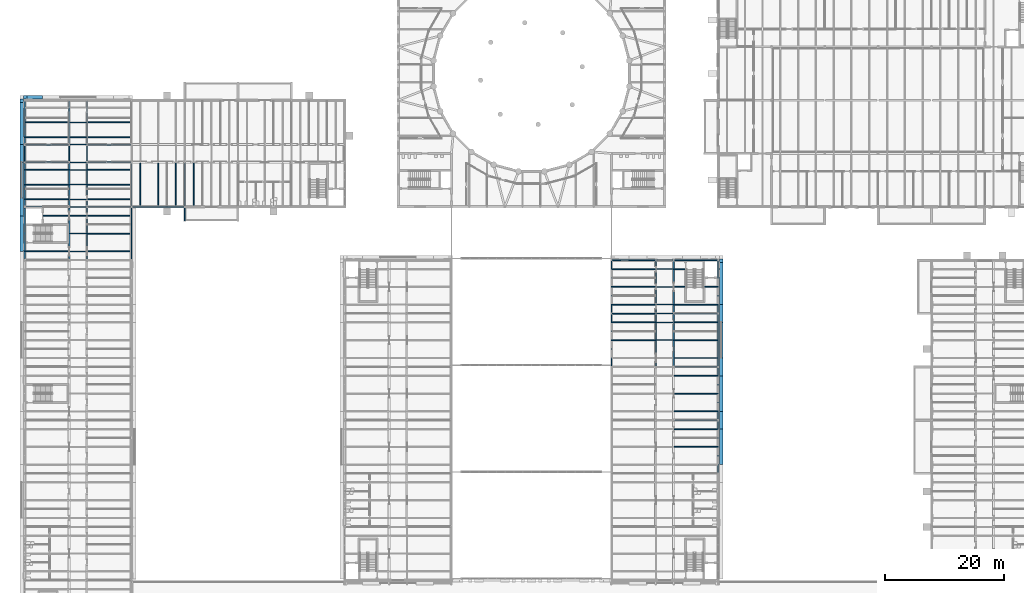
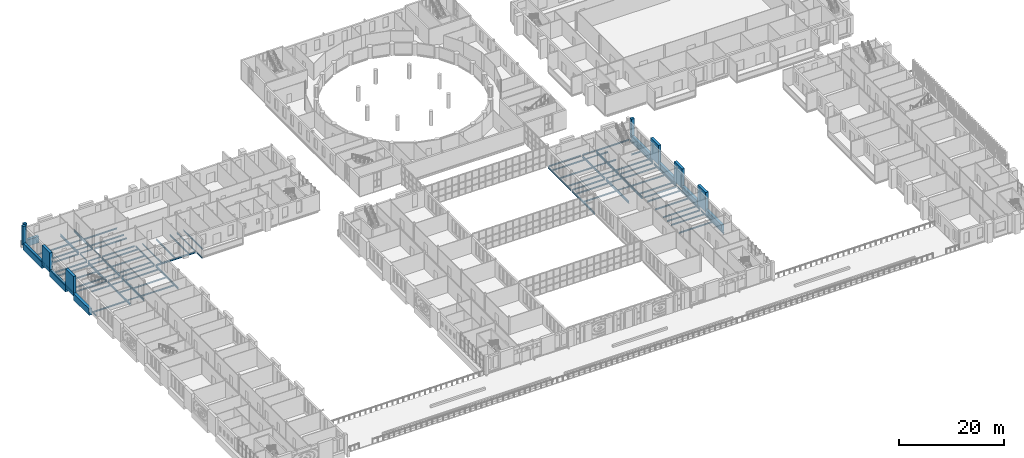
# One storey, part 36 of 134: 101 beams, 8 members.
"""IFC4 building model written with IfcOpenShell, lengths in metres."""

from ifc_helpers import new_model, si_unit, direction, frame, origin, origin_2d, place, context, subcontext, project, spatial, rectangle, i_section, extrude, material, material_profile, profile_set, type_object, element, save


model = new_model("IFC4")

# Units and contexts
model_context = context("Model", 3, precision=1e-05, world=origin(), true_north=direction((0.0, 1.0)))
body_context = subcontext(model_context, "Body", "Model", "MODEL_VIEW")
ifc_project = project(units=[si_unit("LENGTHUNIT", "METRE"), si_unit("AREAUNIT", "SQUARE_METRE"), si_unit("VOLUMEUNIT", "CUBIC_METRE"), si_unit("PLANEANGLEUNIT", "RADIAN"), si_unit("MASSUNIT", "GRAM", prefix="KILO")], contexts=[model_context])

# Site, building, storey
site_placement = place(None, origin())
site = spatial("IfcSite", under=ifc_project, at=site_placement, CompositionType="ELEMENT")
building_placement = place(site_placement, origin())
building = spatial("IfcBuilding", under=site, at=building_placement, Name="Golden Quay Civic Hall", CompositionType="ELEMENT")
storey_placement = place(building_placement, frame((0.0, 0.0, 5.39990234375)))
storey = spatial("IfcBuildingStorey", under=building, at=storey_placement, Name="L01", CompositionType="ELEMENT", Elevation=5.39990234375)

# Beam
ifc_material_1 = material(Name="Steel S355", Category="steel")
ifc_material_profile_1 = material_profile(ifc_material_1, i_section(OverallWidth=0.159912109375, OverallDepth=0.330078125, WebThickness=0.007568359375, FlangeThickness=0.011474609375, FilletRadius=0.01806640625, at=origin_2d()), Name="IPE 330")
ifc_profile_set_1 = profile_set([ifc_material_profile_1], Name="Steel S355")
beam_type_1 = type_object("IfcBeamType", Name="Loggia stub IPE 330", PredefinedType="BEAM", material=ifc_profile_set_1)
beam_1_placement = place(storey_placement, frame((27.0, 62.85498046875, -0.364990234375), z_axis=(0.0, -1.0, 0.0), x_axis=(1.0, 0.0, 0.0)))
element("IfcBeam", 1, at=beam_1_placement, inside=storey, type_object=beam_type_1, Name="Loggia stub IPE 330 L01 6", PredefinedType="BEAM", context=body_context, shape_type="SweptSolid", body=[
    extrude(i_section(OverallWidth=0.159912109375, OverallDepth=0.330078125, WebThickness=0.007568359375, FlangeThickness=0.011474609375, FilletRadius=0.01806640625, at=origin_2d()), origin(), (0.0, 0.0, 1.0), 2.205078125),
])

# Members
ifc_material_2 = material(Name="Concrete C40/50", Category="concrete")
ifc_material_profile_2 = material_profile(ifc_material_2, rectangle(XDim=3.0, YDim=0.60009765625, at=origin_2d()), Name="RC 3000x600")
ifc_profile_set_2 = profile_set([ifc_material_profile_2], Name="Concrete C40/50")
member_type_1 = type_object("IfcMemberType", Name="Precast concrete facade pier 3000 x 600", PredefinedType="POST", material=ifc_profile_set_2)
for number, where, z_axis, x_axis, name in (
    (2, (-0.5, 63.0, 0.0), (0.0, 0.0, 1.0), (0.0, 1.0, 0.0), "Precast concrete facade pier 3000 x 600 L01 7"),
    (3, (-0.5, 72.0, 0.0), (0.0, 0.0, 1.0), (0.0, 1.0, 0.0), "Precast concrete facade pier 3000 x 600 L01 8"),
    (4, (117.5, 27.0, 0.0), (0.0, 0.0, 1.0), (0.0, 1.0, 0.0), "Precast concrete facade pier 3000 x 600 L01 29"),
    (5, (117.5, 36.0, 0.0), (0.0, 0.0, 1.0), (0.0, 1.0, 0.0), "Precast concrete facade pier 3000 x 600 L01 30"),
    (6, (117.5, 45.0, 0.0), (0.0, 0.0, 1.0), (0.0, 1.0, 0.0), "Precast concrete facade pier 3000 x 600 L01 31"),
):
    element("IfcMember", number, at=place(storey_placement, frame(where, z_axis=z_axis, x_axis=x_axis)), inside=storey, type_object=member_type_1, Name=name, PredefinedType="POST", context=body_context, shape_type="SweptSolid", body=[
        extrude(rectangle(XDim=3.0, YDim=0.60009765625, at=origin_2d()), origin(), (0.0, 0.0, 1.0), 4.5),
    ])
ifc_material_3 = material(Name="Concrete C40/50", Category="concrete")
ifc_material_profile_3 = material_profile(ifc_material_3, rectangle(XDim=0.60009765625, YDim=0.60009765625, at=origin_2d()), Name="RC 600x600")
ifc_profile_set_3 = profile_set([ifc_material_profile_3], Name="Concrete C40/50")
member_type_2 = type_object("IfcMemberType", Name="Precast concrete facade post 600 x 600", PredefinedType="POST", material=ifc_profile_set_3)
for number, where, z_axis, x_axis, name in (
    (7, (-0.5, 80.89990234375, 0.0), (0.0, 0.0, 1.0), (1.0, 0.0, 0.0), "Precast concrete facade post 600 x 600 L01 1"),
    (8, (0.10009765625, 81.5, 0.0), (0.0, 0.0, 1.0), (1.0, 0.0, 0.0), "Precast concrete facade post 600 x 600 L01 2"),
    (9, (117.5, 53.89990234375, 0.0), (0.0, 0.0, 1.0), (1.0, 0.0, 0.0), "Precast concrete facade post 600 x 600 L01 12"),
):
    element("IfcMember", number, at=place(storey_placement, frame(where, z_axis=z_axis, x_axis=x_axis)), inside=storey, type_object=member_type_2, Name=name, PredefinedType="POST", context=body_context, shape_type="SweptSolid", body=[
        extrude(rectangle(XDim=0.60009765625, YDim=0.60009765625, at=origin_2d()), origin(), (0.0, 0.0, 1.0), 4.5),
    ])

# Beams
ifc_material_4 = material(Name="Concrete C40/50", Category="concrete")
ifc_material_profile_4 = material_profile(ifc_material_4, rectangle(XDim=0.60009765625, YDim=1.5, at=origin_2d()), Name="RC 600x1500")
ifc_profile_set_4 = profile_set([ifc_material_profile_4], Name="Concrete C40/50")
beam_type_2 = type_object("IfcBeamType", Name="Precast concrete spandrel beam 600 x 1500", PredefinedType="SPANDREL", material=ifc_profile_set_4)
beam_2_placement = place(storey_placement, frame((-0.5, 73.5, -0.14990234375), z_axis=(0.0, 1.0, 0.0), x_axis=(-1.0, 0.0, 0.0)))
element("IfcBeam", 10, at=beam_2_placement, inside=storey, type_object=beam_type_2, Name="Precast concrete spandrel beam 600 x 1500 L01 2", PredefinedType="SPANDREL", context=body_context, shape_type="SweptSolid", body=[
    extrude(rectangle(XDim=0.60009765625, YDim=1.5, at=origin_2d()), origin(), (0.0, 0.0, 1.0), 7.10009765625),
])
beam_3_placement = place(storey_placement, frame((0.39990234375, 81.5, -0.14990234375), z_axis=(1.0, 0.0, 0.0), x_axis=(0.0, 1.0, 0.0)))
element("IfcBeam", 11, at=beam_3_placement, inside=storey, type_object=beam_type_2, Name="Precast concrete spandrel beam 600 x 1500 L01 3", PredefinedType="SPANDREL", context=body_context, shape_type="SweptSolid", body=[
    extrude(rectangle(XDim=0.60009765625, YDim=1.5, at=origin_2d()), origin(), (0.0, 0.0, 1.0), 2.60009765625),
])
for number, where, z_axis, x_axis, name in (
    (12, (-0.5, 64.5, -0.14990234375), (0.0, 1.0, 0.0), (-1.0, 0.0, 0.0), "Precast concrete spandrel beam 600 x 1500 L01 6"),
    (13, (-0.5, 55.5, -0.14990234375), (0.0, 1.0, 0.0), (-1.0, 0.0, 0.0), "Precast concrete spandrel beam 600 x 1500 L01 7"),
):
    element("IfcBeam", number, at=place(storey_placement, frame(where, z_axis=z_axis, x_axis=x_axis)), inside=storey, type_object=beam_type_2, Name=name, PredefinedType="SPANDREL", context=body_context, shape_type="SweptSolid", body=[
        extrude(rectangle(XDim=0.60009765625, YDim=1.5, at=origin_2d()), origin(), (0.0, 0.0, 1.0), 6.0),
    ])
beam_4_placement = place(storey_placement, frame((117.5, 46.5, -0.14990234375), z_axis=(0.0, 1.0, 0.0), x_axis=(-1.0, 0.0, 0.0)))
element("IfcBeam", 14, at=beam_4_placement, inside=storey, type_object=beam_type_2, Name="Precast concrete spandrel beam 600 x 1500 L01 22", PredefinedType="SPANDREL", context=body_context, shape_type="SweptSolid", body=[
    extrude(rectangle(XDim=0.60009765625, YDim=1.5, at=origin_2d()), origin(), (0.0, 0.0, 1.0), 7.10009765625),
])
for number, where, z_axis, x_axis, name in (
    (15, (117.5, 37.5, -0.14990234375), (0.0, 1.0, 0.0), (-1.0, 0.0, 0.0), "Precast concrete spandrel beam 600 x 1500 L01 23"),
    (16, (117.5, 28.5, -0.14990234375), (0.0, 1.0, 0.0), (-1.0, 0.0, 0.0), "Precast concrete spandrel beam 600 x 1500 L01 24"),
    (17, (117.5, 19.5, -0.14990234375), (0.0, 1.0, 0.0), (-1.0, 0.0, 0.0), "Precast concrete spandrel beam 600 x 1500 L01 25"),
):
    element("IfcBeam", number, at=place(storey_placement, frame(where, z_axis=z_axis, x_axis=x_axis)), inside=storey, type_object=beam_type_2, Name=name, PredefinedType="SPANDREL", context=body_context, shape_type="SweptSolid", body=[
        extrude(rectangle(XDim=0.60009765625, YDim=1.5, at=origin_2d()), origin(), (0.0, 0.0, 1.0), 6.0),
    ])
ifc_material_5 = material(Name="Steel S355", Category="steel")
ifc_material_profile_5 = material_profile(ifc_material_5, i_section(OverallWidth=0.10009765625, OverallDepth=0.199951171875, WebThickness=0.005615234375, FlangeThickness=0.008544921875, FilletRadius=0.011962890625, at=origin_2d()), Name="IPE 200")
ifc_profile_set_5 = profile_set([ifc_material_profile_5], Name="Steel S355")
beam_type_3 = type_object("IfcBeamType", Name="Steel beam IPE 200", PredefinedType="BEAM", material=ifc_profile_set_5)
for number, where, z_axis, x_axis, name in (
    (18, (7.64990234375, 63.0, -0.2998046875), (1.0, 0.0, 0.0), (0.0, 1.0, 0.0), "Beam S63-7.5"),
    (19, (7.64990234375, 70.5, -0.2998046875), (1.0, 0.0, 0.0), (0.0, 1.0, 0.0), "Beam S70.5-7.5"),
    (20, (7.64990234375, 73.5, -0.2998046875), (1.0, 0.0, 0.0), (0.0, 1.0, 0.0), "Beam S73.5-7.5"),
    (21, (106.64990234375, 45.0, -0.2998046875), (1.0, 0.0, 0.0), (0.0, 1.0, 0.0), "Beam S45-106.5"),
    (22, (106.64990234375, 54.0, -0.2998046875), (1.0, 0.0, 0.0), (0.0, 1.0, 0.0), "Beam S54-106.5"),
):
    element("IfcBeam", number, at=place(storey_placement, frame(where, z_axis=z_axis, x_axis=x_axis)), inside=storey, type_object=beam_type_3, Name=name, PredefinedType="BEAM", context=body_context, shape_type="SweptSolid", body=[
        extrude(i_section(OverallWidth=0.10009765625, OverallDepth=0.199951171875, WebThickness=0.005615234375, FlangeThickness=0.008544921875, FilletRadius=0.011962890625, at=origin_2d()), origin(), (0.0, 0.0, 1.0), 2.7001953125),
    ])
ifc_material_6 = material(Name="Steel S355", Category="steel")
ifc_material_profile_6 = material_profile(ifc_material_6, i_section(OverallWidth=0.135009765625, OverallDepth=0.27001953125, WebThickness=0.006591796875, FlangeThickness=0.01025390625, FilletRadius=0.014892578125, at=origin_2d()), Name="IPE 270")
ifc_profile_set_6 = profile_set([ifc_material_profile_6], Name="Steel S355")
beam_type_4 = type_object("IfcBeamType", Name="Steel beam IPE 270", PredefinedType="BEAM", material=ifc_profile_set_6)
beam_5_placement = place(storey_placement, frame((0.0, 70.64990234375, -0.3349609375), z_axis=(0.0, 1.0, 0.0), x_axis=(-1.0, 0.0, 0.0)))
element("IfcBeam", 23, at=beam_5_placement, inside=storey, type_object=beam_type_4, Name="Beam L0-70.5", PredefinedType="BEAM", context=body_context, shape_type="SweptSolid", body=[
    extrude(i_section(OverallWidth=0.135009765625, OverallDepth=0.27001953125, WebThickness=0.006591796875, FlangeThickness=0.01025390625, FilletRadius=0.014892578125, at=origin_2d()), origin(), (0.0, 0.0, 1.0), 2.7001953125),
])
for number, where, z_axis, x_axis, name in (
    (24, (7.5, 70.679931640625, -0.3349609375), (0.0, 1.0, 0.0), (-1.0, 0.0, 0.0), "Beam L7.5-70.5"),
    (25, (10.5, 70.679931640625, -0.3349609375), (0.0, 1.0, 0.0), (-1.0, 0.0, 0.0), "Beam L10.5-70.5"),
):
    element("IfcBeam", number, at=place(storey_placement, frame(where, z_axis=z_axis, x_axis=x_axis)), inside=storey, type_object=beam_type_4, Name=name, PredefinedType="BEAM", context=body_context, shape_type="SweptSolid", body=[
        extrude(i_section(OverallWidth=0.135009765625, OverallDepth=0.27001953125, WebThickness=0.006591796875, FlangeThickness=0.01025390625, FilletRadius=0.014892578125, at=origin_2d()), origin(), (0.0, 0.0, 1.0), 2.64013671875),
    ])
ifc_material_7 = material(Name="Steel S355", Category="steel")
ifc_material_profile_7 = material_profile(ifc_material_7, i_section(OverallWidth=0.159912109375, OverallDepth=0.330078125, WebThickness=0.007568359375, FlangeThickness=0.011474609375, FilletRadius=0.01806640625, at=origin_2d()), Name="IPE 330")
ifc_profile_set_7 = profile_set([ifc_material_profile_7], Name="Steel S355")
beam_type_5 = type_object("IfcBeamType", Name="Steel beam IPE 330", PredefinedType="BEAM", material=ifc_profile_set_7)
for number, where, z_axis, x_axis, name in (
    (26, (0.14990234375, 63.0, -0.364990234375), (1.0, 0.0, 0.0), (0.0, 1.0, 0.0), "Beam S63-0"),
    (27, (10.64990234375, 63.0, -0.364990234375), (1.0, 0.0, 0.0), (0.0, 1.0, 0.0), "Beam S63-10.5"),
    (28, (0.14990234375, 70.5, -0.364990234375), (1.0, 0.0, 0.0), (0.0, 1.0, 0.0), "Beam S70.5-0"),
    (29, (10.64990234375, 70.5, -0.364990234375), (1.0, 0.0, 0.0), (0.0, 1.0, 0.0), "Beam S70.5-10.5"),
    (30, (0.14990234375, 73.5, -0.364990234375), (1.0, 0.0, 0.0), (0.0, 1.0, 0.0), "Beam S73.5-0"),
    (31, (10.64990234375, 73.5, -0.364990234375), (1.0, 0.0, 0.0), (0.0, 1.0, 0.0), "Beam S73.5-10.5"),
):
    element("IfcBeam", number, at=place(storey_placement, frame(where, z_axis=z_axis, x_axis=x_axis)), inside=storey, type_object=beam_type_5, Name=name, PredefinedType="BEAM", context=body_context, shape_type="SweptSolid", body=[
        extrude(i_section(OverallWidth=0.159912109375, OverallDepth=0.330078125, WebThickness=0.007568359375, FlangeThickness=0.011474609375, FilletRadius=0.01806640625, at=origin_2d()), origin(), (0.0, 0.0, 1.0), 7.2001953125),
    ])
beam_6_placement = place(storey_placement, frame((27.0, 63.14990234375, -0.364990234375), z_axis=(0.0, 1.0, 0.0), x_axis=(-1.0, 0.0, 0.0)))
element("IfcBeam", 32, at=beam_6_placement, inside=storey, type_object=beam_type_5, Name="Beam S27-63", PredefinedType="BEAM", context=body_context, shape_type="SweptSolid", body=[
    extrude(i_section(OverallWidth=0.159912109375, OverallDepth=0.330078125, WebThickness=0.007568359375, FlangeThickness=0.011474609375, FilletRadius=0.01806640625, at=origin_2d()), origin(), (0.0, 0.0, 1.0), 7.170166015625),
])
for number, where, z_axis, x_axis, name in (
    (33, (109.64990234375, 27.0, -0.364990234375), (1.0, 0.0, 0.0), (0.0, 1.0, 0.0), "Beam S27-109.5"),
    (34, (109.64990234375, 36.0, -0.364990234375), (1.0, 0.0, 0.0), (0.0, 1.0, 0.0), "Beam S36-109.5"),
    (35, (99.14990234375, 45.0, -0.364990234375), (1.0, 0.0, 0.0), (0.0, 1.0, 0.0), "Beam S45-99"),
    (36, (109.64990234375, 45.0, -0.364990234375), (1.0, 0.0, 0.0), (0.0, 1.0, 0.0), "Beam S45-109.5"),
    (37, (99.14990234375, 54.0, -0.364990234375), (1.0, 0.0, 0.0), (0.0, 1.0, 0.0), "Beam S54-99"),
    (38, (109.64990234375, 54.0, -0.364990234375), (1.0, 0.0, 0.0), (0.0, 1.0, 0.0), "Beam S54-109.5"),
):
    element("IfcBeam", number, at=place(storey_placement, frame(where, z_axis=z_axis, x_axis=x_axis)), inside=storey, type_object=beam_type_5, Name=name, PredefinedType="BEAM", context=body_context, shape_type="SweptSolid", body=[
        extrude(i_section(OverallWidth=0.159912109375, OverallDepth=0.330078125, WebThickness=0.007568359375, FlangeThickness=0.011474609375, FilletRadius=0.01806640625, at=origin_2d()), origin(), (0.0, 0.0, 1.0), 7.2001953125),
    ])
ifc_material_8 = material(Name="Steel S355", Category="steel")
ifc_material_profile_8 = material_profile(ifc_material_8, i_section(OverallWidth=0.179931640625, OverallDepth=0.39990234375, WebThickness=0.008544921875, FlangeThickness=0.013427734375, FilletRadius=0.02099609375, at=origin_2d()), Name="IPE 400")
ifc_profile_set_8 = profile_set([ifc_material_profile_8], Name="Steel S355")
beam_type_6 = type_object("IfcBeamType", Name="Steel beam IPE 400", PredefinedType="BEAM", material=ifc_profile_set_8)
beam_7_placement = place(storey_placement, frame((0.0, 54.14990234375, -0.39990234375), z_axis=(0.0, 1.0, 0.0), x_axis=(-1.0, 0.0, 0.0)))
element("IfcBeam", 39, at=beam_7_placement, inside=storey, type_object=beam_type_6, Name="Beam L0-54", PredefinedType="BEAM", context=body_context, shape_type="SweptSolid", body=[
    extrude(i_section(OverallWidth=0.179931640625, OverallDepth=0.39990234375, WebThickness=0.008544921875, FlangeThickness=0.013427734375, FilletRadius=0.02099609375, at=origin_2d()), origin(), (0.0, 0.0, 1.0), 8.7001953125),
])
for number, where, z_axis, x_axis, name in (
    (40, (0.0, 63.14990234375, -0.39990234375), (0.0, 1.0, 0.0), (-1.0, 0.0, 0.0), "Beam L0-63"),
    (41, (0.0, 73.64990234375, -0.39990234375), (0.0, 1.0, 0.0), (-1.0, 0.0, 0.0), "Beam L0-73.5"),
):
    element("IfcBeam", number, at=place(storey_placement, frame(where, z_axis=z_axis, x_axis=x_axis)), inside=storey, type_object=beam_type_6, Name=name, PredefinedType="BEAM", context=body_context, shape_type="SweptSolid", body=[
        extrude(i_section(OverallWidth=0.179931640625, OverallDepth=0.39990234375, WebThickness=0.008544921875, FlangeThickness=0.013427734375, FilletRadius=0.02099609375, at=origin_2d()), origin(), (0.0, 0.0, 1.0), 7.2001953125),
    ])
beam_8_placement = place(storey_placement, frame((18.0, 54.14990234375, -0.39990234375), z_axis=(0.0, 1.0, 0.0), x_axis=(-1.0, 0.0, 0.0)))
element("IfcBeam", 42, at=beam_8_placement, inside=storey, type_object=beam_type_6, Name="Beam L18-54", PredefinedType="BEAM", context=body_context, shape_type="SweptSolid", body=[
    extrude(i_section(OverallWidth=0.179931640625, OverallDepth=0.39990234375, WebThickness=0.008544921875, FlangeThickness=0.013427734375, FilletRadius=0.02099609375, at=origin_2d()), origin(), (0.0, 0.0, 1.0), 8.7001953125),
])
beam_9_placement = place(storey_placement, frame((18.0, 63.14990234375, -0.39990234375), z_axis=(0.0, 1.0, 0.0), x_axis=(-1.0, 0.0, 0.0)))
element("IfcBeam", 43, at=beam_9_placement, inside=storey, type_object=beam_type_6, Name="Beam L18-63", PredefinedType="BEAM", context=body_context, shape_type="SweptSolid", body=[
    extrude(i_section(OverallWidth=0.179931640625, OverallDepth=0.39990234375, WebThickness=0.008544921875, FlangeThickness=0.013427734375, FilletRadius=0.02099609375, at=origin_2d()), origin(), (0.0, 0.0, 1.0), 7.2001953125),
])
beam_10_placement = place(storey_placement, frame((18.14990234375, 63.0, -0.39990234375), z_axis=(1.0, 0.0, 0.0), x_axis=(0.0, 1.0, 0.0)))
element("IfcBeam", 44, at=beam_10_placement, inside=storey, type_object=beam_type_6, Name="Beam L63-18", PredefinedType="BEAM", context=body_context, shape_type="SweptSolid", body=[
    extrude(i_section(OverallWidth=0.179931640625, OverallDepth=0.39990234375, WebThickness=0.008544921875, FlangeThickness=0.013427734375, FilletRadius=0.02099609375, at=origin_2d()), origin(), (0.0, 0.0, 1.0), 8.7001953125),
])
for number, where, z_axis, x_axis, name in (
    (45, (99.0, 36.14501953125, -0.39990234375), (0.0, 1.0, 0.0), (-1.0, 0.0, 0.0), "Beam L99-36"),
    (46, (99.0, 45.14501953125, -0.39990234375), (0.0, 1.0, 0.0), (-1.0, 0.0, 0.0), "Beam L99-45"),
    (47, (117.0, 18.14501953125, -0.39990234375), (0.0, 1.0, 0.0), (-1.0, 0.0, 0.0), "Beam L117-18"),
    (48, (117.0, 27.14501953125, -0.39990234375), (0.0, 1.0, 0.0), (-1.0, 0.0, 0.0), "Beam L117-27"),
    (49, (117.0, 36.14501953125, -0.39990234375), (0.0, 1.0, 0.0), (-1.0, 0.0, 0.0), "Beam L117-36"),
    (50, (117.0, 45.14501953125, -0.39990234375), (0.0, 1.0, 0.0), (-1.0, 0.0, 0.0), "Beam L117-45"),
):
    element("IfcBeam", number, at=place(storey_placement, frame(where, z_axis=z_axis, x_axis=x_axis)), inside=storey, type_object=beam_type_6, Name=name, PredefinedType="BEAM", context=body_context, shape_type="SweptSolid", body=[
        extrude(i_section(OverallWidth=0.179931640625, OverallDepth=0.39990234375, WebThickness=0.008544921875, FlangeThickness=0.013427734375, FilletRadius=0.02099609375, at=origin_2d()), origin(), (0.0, 0.0, 1.0), 8.7099609375),
    ])
ifc_material_9 = material(Name="Steel S355", Category="steel")
ifc_material_profile_9 = material_profile(ifc_material_9, i_section(OverallWidth=0.199951171875, OverallDepth=0.5, WebThickness=0.01025390625, FlangeThickness=0.01611328125, FilletRadius=0.02099609375, at=origin_2d()), Name="IPE 500")
ifc_profile_set_9 = profile_set([ifc_material_profile_9], Name="Steel S355")
beam_type_7 = type_object("IfcBeamType", Name="Steel beam IPE 500", PredefinedType="BEAM", material=ifc_profile_set_9)
beam_11_placement = place(storey_placement, frame((7.5, 54.179931640625, -0.449951171875), z_axis=(0.0, 1.0, 0.0), x_axis=(-1.0, 0.0, 0.0)))
element("IfcBeam", 51, at=beam_11_placement, inside=storey, type_object=beam_type_7, Name="Beam L7.5-54", PredefinedType="BEAM", context=body_context, shape_type="SweptSolid", body=[
    extrude(i_section(OverallWidth=0.199951171875, OverallDepth=0.5, WebThickness=0.01025390625, FlangeThickness=0.01611328125, FilletRadius=0.02099609375, at=origin_2d()), origin(), (0.0, 0.0, 1.0), 8.64013671875),
])
beam_12_placement = place(storey_placement, frame((7.5, 63.179931640625, -0.449951171875), z_axis=(0.0, 1.0, 0.0), x_axis=(-1.0, 0.0, 0.0)))
element("IfcBeam", 52, at=beam_12_placement, inside=storey, type_object=beam_type_7, Name="Beam L7.5-63", PredefinedType="BEAM", context=body_context, shape_type="SweptSolid", body=[
    extrude(i_section(OverallWidth=0.199951171875, OverallDepth=0.5, WebThickness=0.01025390625, FlangeThickness=0.01611328125, FilletRadius=0.02099609375, at=origin_2d()), origin(), (0.0, 0.0, 1.0), 7.14013671875),
])
beam_13_placement = place(storey_placement, frame((7.5, 73.679931640625, -0.449951171875), z_axis=(0.0, 1.0, 0.0), x_axis=(-1.0, 0.0, 0.0)))
element("IfcBeam", 53, at=beam_13_placement, inside=storey, type_object=beam_type_7, Name="Beam L7.5-73.5", PredefinedType="BEAM", context=body_context, shape_type="SweptSolid", body=[
    extrude(i_section(OverallWidth=0.199951171875, OverallDepth=0.5, WebThickness=0.01025390625, FlangeThickness=0.01611328125, FilletRadius=0.02099609375, at=origin_2d()), origin(), (0.0, 0.0, 1.0), 7.170166015625),
])
beam_14_placement = place(storey_placement, frame((10.5, 54.179931640625, -0.449951171875), z_axis=(0.0, 1.0, 0.0), x_axis=(-1.0, 0.0, 0.0)))
element("IfcBeam", 54, at=beam_14_placement, inside=storey, type_object=beam_type_7, Name="Beam L10.5-54", PredefinedType="BEAM", context=body_context, shape_type="SweptSolid", body=[
    extrude(i_section(OverallWidth=0.199951171875, OverallDepth=0.5, WebThickness=0.01025390625, FlangeThickness=0.01611328125, FilletRadius=0.02099609375, at=origin_2d()), origin(), (0.0, 0.0, 1.0), 8.64013671875),
])
beam_15_placement = place(storey_placement, frame((10.5, 63.179931640625, -0.449951171875), z_axis=(0.0, 1.0, 0.0), x_axis=(-1.0, 0.0, 0.0)))
element("IfcBeam", 55, at=beam_15_placement, inside=storey, type_object=beam_type_7, Name="Beam L10.5-63", PredefinedType="BEAM", context=body_context, shape_type="SweptSolid", body=[
    extrude(i_section(OverallWidth=0.199951171875, OverallDepth=0.5, WebThickness=0.01025390625, FlangeThickness=0.01611328125, FilletRadius=0.02099609375, at=origin_2d()), origin(), (0.0, 0.0, 1.0), 7.14013671875),
])
beam_16_placement = place(storey_placement, frame((10.5, 73.679931640625, -0.449951171875), z_axis=(0.0, 1.0, 0.0), x_axis=(-1.0, 0.0, 0.0)))
element("IfcBeam", 56, at=beam_16_placement, inside=storey, type_object=beam_type_7, Name="Beam L10.5-73.5", PredefinedType="BEAM", context=body_context, shape_type="SweptSolid", body=[
    extrude(i_section(OverallWidth=0.199951171875, OverallDepth=0.5, WebThickness=0.01025390625, FlangeThickness=0.01611328125, FilletRadius=0.02099609375, at=origin_2d()), origin(), (0.0, 0.0, 1.0), 7.170166015625),
])
beam_17_placement = place(storey_placement, frame((106.5, 36.14990234375, -0.449951171875), z_axis=(0.0, 1.0, 0.0), x_axis=(-1.0, 0.0, 0.0)))
element("IfcBeam", 57, at=beam_17_placement, inside=storey, type_object=beam_type_7, Name="Beam L106.5-36", PredefinedType="BEAM", context=body_context, shape_type="SweptSolid", body=[
    extrude(i_section(OverallWidth=0.199951171875, OverallDepth=0.5, WebThickness=0.01025390625, FlangeThickness=0.01611328125, FilletRadius=0.02099609375, at=origin_2d()), origin(), (0.0, 0.0, 1.0), 8.7001953125),
])
beam_18_placement = place(storey_placement, frame((106.5, 45.14990234375, -0.449951171875), z_axis=(0.0, 1.0, 0.0), x_axis=(-1.0, 0.0, 0.0)))
element("IfcBeam", 58, at=beam_18_placement, inside=storey, type_object=beam_type_7, Name="Beam L106.5-45", PredefinedType="BEAM", context=body_context, shape_type="SweptSolid", body=[
    extrude(i_section(OverallWidth=0.199951171875, OverallDepth=0.5, WebThickness=0.01025390625, FlangeThickness=0.01611328125, FilletRadius=0.02099609375, at=origin_2d()), origin(), (0.0, 0.0, 1.0), 8.705078125),
])
beam_19_placement = place(storey_placement, frame((109.5, 36.14990234375, -0.449951171875), z_axis=(0.0, 1.0, 0.0), x_axis=(-1.0, 0.0, 0.0)))
element("IfcBeam", 59, at=beam_19_placement, inside=storey, type_object=beam_type_7, Name="Beam L109.5-36", PredefinedType="BEAM", context=body_context, shape_type="SweptSolid", body=[
    extrude(i_section(OverallWidth=0.199951171875, OverallDepth=0.5, WebThickness=0.01025390625, FlangeThickness=0.01611328125, FilletRadius=0.02099609375, at=origin_2d()), origin(), (0.0, 0.0, 1.0), 8.7001953125),
])
beam_20_placement = place(storey_placement, frame((109.5, 45.14990234375, -0.449951171875), z_axis=(0.0, 1.0, 0.0), x_axis=(-1.0, 0.0, 0.0)))
element("IfcBeam", 60, at=beam_20_placement, inside=storey, type_object=beam_type_7, Name="Beam L109.5-45", PredefinedType="BEAM", context=body_context, shape_type="SweptSolid", body=[
    extrude(i_section(OverallWidth=0.199951171875, OverallDepth=0.5, WebThickness=0.01025390625, FlangeThickness=0.01611328125, FilletRadius=0.02099609375, at=origin_2d()), origin(), (0.0, 0.0, 1.0), 8.705078125),
])
ifc_material_10 = material(Name="Steel S355", Category="steel")
ifc_material_profile_10 = material_profile(ifc_material_10, i_section(OverallWidth=0.10009765625, OverallDepth=0.199951171875, WebThickness=0.005615234375, FlangeThickness=0.008544921875, FilletRadius=0.011962890625, at=origin_2d()), Name="IPE 200")
ifc_profile_set_10 = profile_set([ifc_material_profile_10], Name="Steel S355")
beam_type_8 = type_object("IfcBeamType", Name="Steel joist IPE 200", PredefinedType="JOIST", material=ifc_profile_set_10)
for number, where, z_axis, x_axis, name in (
    (61, (7.60009765625, 55.5, -0.2998046875), (1.0, 0.0, 0.0), (0.0, 1.0, 0.0), "Joist J55.5-7.5"),
    (62, (7.60009765625, 58.5, -0.2998046875), (1.0, 0.0, 0.0), (0.0, 1.0, 0.0), "Joist J58.5-7.5"),
    (63, (7.60009765625, 61.5, -0.2998046875), (1.0, 0.0, 0.0), (0.0, 1.0, 0.0), "Joist J61.5-7.5"),
    (64, (7.60009765625, 64.25, -0.2998046875), (1.0, 0.0, 0.0), (0.0, 1.0, 0.0), "Joist J64.25-7.5"),
    (65, (7.60009765625, 66.75, -0.2998046875), (1.0, 0.0, 0.0), (0.0, 1.0, 0.0), "Joist J66.75-7.5"),
    (66, (7.60009765625, 69.25, -0.2998046875), (1.0, 0.0, 0.0), (0.0, 1.0, 0.0), "Joist J69.25-7.5"),
    (67, (7.60009765625, 74.75, -0.2998046875), (1.0, 0.0, 0.0), (0.0, 1.0, 0.0), "Joist J74.75-7.5"),
    (68, (7.60009765625, 77.25, -0.2998046875), (1.0, 0.0, 0.0), (0.0, 1.0, 0.0), "Joist J77.25-7.5"),
    (69, (106.60009765625, 40.5, -0.2998046875), (1.0, 0.0, 0.0), (0.0, 1.0, 0.0), "Joist J40.5-106.5"),
    (70, (106.60009765625, 43.5, -0.2998046875), (1.0, 0.0, 0.0), (0.0, 1.0, 0.0), "Joist J43.5-106.5"),
    (71, (106.60009765625, 46.5, -0.2998046875), (1.0, 0.0, 0.0), (0.0, 1.0, 0.0), "Joist J46.5-106.5"),
    (72, (106.60009765625, 49.5, -0.2998046875), (1.0, 0.0, 0.0), (0.0, 1.0, 0.0), "Joist J49.5-106.5"),
    (73, (106.60009765625, 52.5, -0.2998046875), (1.0, 0.0, 0.0), (0.0, 1.0, 0.0), "Joist J52.5-106.5"),
):
    element("IfcBeam", number, at=place(storey_placement, frame(where, z_axis=z_axis, x_axis=x_axis)), inside=storey, type_object=beam_type_8, Name=name, PredefinedType="JOIST", context=body_context, shape_type="SweptSolid", body=[
        extrude(i_section(OverallWidth=0.10009765625, OverallDepth=0.199951171875, WebThickness=0.005615234375, FlangeThickness=0.008544921875, FilletRadius=0.011962890625, at=origin_2d()), origin(), (0.0, 0.0, 1.0), 2.7998046875),
    ])
ifc_material_11 = material(Name="Steel S355", Category="steel")
ifc_material_profile_11 = material_profile(ifc_material_11, i_section(OverallWidth=0.159912109375, OverallDepth=0.330078125, WebThickness=0.007568359375, FlangeThickness=0.011474609375, FilletRadius=0.01806640625, at=origin_2d()), Name="IPE 330")
ifc_profile_set_11 = profile_set([ifc_material_profile_11], Name="Steel S355")
beam_type_9 = type_object("IfcBeamType", Name="Steel joist IPE 330", PredefinedType="JOIST", material=ifc_profile_set_11)
for number, where, z_axis, x_axis, name in (
    (74, (0.090087890625, 55.5, -0.364990234375), (1.0, 0.0, 0.0), (0.0, 1.0, 0.0), "Joist J55.5-0"),
    (75, (10.60009765625, 55.5, -0.364990234375), (1.0, 0.0, 0.0), (0.0, 1.0, 0.0), "Joist J55.5-10.5"),
    (76, (10.60009765625, 58.5, -0.364990234375), (1.0, 0.0, 0.0), (0.0, 1.0, 0.0), "Joist J58.5-10.5"),
):
    element("IfcBeam", number, at=place(storey_placement, frame(where, z_axis=z_axis, x_axis=x_axis)), inside=storey, type_object=beam_type_9, Name=name, PredefinedType="JOIST", context=body_context, shape_type="SweptSolid", body=[
        extrude(i_section(OverallWidth=0.159912109375, OverallDepth=0.330078125, WebThickness=0.007568359375, FlangeThickness=0.011474609375, FilletRadius=0.01806640625, at=origin_2d()), origin(), (0.0, 0.0, 1.0), 7.309814453125),
    ])
beam_21_placement = place(storey_placement, frame((3.14990234375, 61.5, -0.364990234375), z_axis=(1.0, 0.0, 0.0), x_axis=(0.0, 1.0, 0.0)))
element("IfcBeam", 77, at=beam_21_placement, inside=storey, type_object=beam_type_9, Name="Joist J61.5-0-1", PredefinedType="JOIST", context=body_context, shape_type="SweptSolid", body=[
    extrude(i_section(OverallWidth=0.159912109375, OverallDepth=0.330078125, WebThickness=0.007568359375, FlangeThickness=0.011474609375, FilletRadius=0.01806640625, at=origin_2d()), origin(), (0.0, 0.0, 1.0), 4.25),
])
for number, where, z_axis, x_axis, name in (
    (78, (10.60009765625, 61.5, -0.364990234375), (1.0, 0.0, 0.0), (0.0, 1.0, 0.0), "Joist J61.5-10.5"),
    (79, (0.090087890625, 64.25, -0.364990234375), (1.0, 0.0, 0.0), (0.0, 1.0, 0.0), "Joist J64.25-0"),
    (80, (10.60009765625, 64.25, -0.364990234375), (1.0, 0.0, 0.0), (0.0, 1.0, 0.0), "Joist J64.25-10.5"),
    (81, (0.090087890625, 66.75, -0.364990234375), (1.0, 0.0, 0.0), (0.0, 1.0, 0.0), "Joist J66.75-0"),
    (82, (10.60009765625, 66.75, -0.364990234375), (1.0, 0.0, 0.0), (0.0, 1.0, 0.0), "Joist J66.75-10.5"),
    (83, (0.090087890625, 69.25, -0.364990234375), (1.0, 0.0, 0.0), (0.0, 1.0, 0.0), "Joist J69.25-0"),
    (84, (10.60009765625, 69.25, -0.364990234375), (1.0, 0.0, 0.0), (0.0, 1.0, 0.0), "Joist J69.25-10.5"),
    (85, (0.090087890625, 74.75, -0.364990234375), (1.0, 0.0, 0.0), (0.0, 1.0, 0.0), "Joist J74.75-0"),
    (86, (10.60009765625, 74.75, -0.364990234375), (1.0, 0.0, 0.0), (0.0, 1.0, 0.0), "Joist J74.75-10.5"),
    (87, (0.090087890625, 77.25, -0.364990234375), (1.0, 0.0, 0.0), (0.0, 1.0, 0.0), "Joist J77.25-0"),
    (88, (10.60009765625, 77.25, -0.364990234375), (1.0, 0.0, 0.0), (0.0, 1.0, 0.0), "Joist J77.25-10.5"),
    (89, (19.5, 63.090087890625, -0.364990234375), (0.0, 1.0, 0.0), (-1.0, 0.0, 0.0), "Joist J19.5-63"),
    (90, (22.5, 63.090087890625, -0.364990234375), (0.0, 1.0, 0.0), (-1.0, 0.0, 0.0), "Joist J22.5-63"),
    (91, (25.5, 63.090087890625, -0.364990234375), (0.0, 1.0, 0.0), (-1.0, 0.0, 0.0), "Joist J25.5-63"),
    (92, (28.5, 63.090087890625, -0.364990234375), (0.0, 1.0, 0.0), (-1.0, 0.0, 0.0), "Joist J28.5-63"),
    (93, (109.60009765625, 22.5, -0.364990234375), (1.0, 0.0, 0.0), (0.0, 1.0, 0.0), "Joist J22.5-109.5"),
    (94, (109.60009765625, 25.5, -0.364990234375), (1.0, 0.0, 0.0), (0.0, 1.0, 0.0), "Joist J25.5-109.5"),
    (95, (109.60009765625, 28.5, -0.364990234375), (1.0, 0.0, 0.0), (0.0, 1.0, 0.0), "Joist J28.5-109.5"),
    (96, (109.60009765625, 31.5, -0.364990234375), (1.0, 0.0, 0.0), (0.0, 1.0, 0.0), "Joist J31.5-109.5"),
    (97, (109.60009765625, 34.5, -0.364990234375), (1.0, 0.0, 0.0), (0.0, 1.0, 0.0), "Joist J34.5-109.5"),
    (98, (109.60009765625, 37.5, -0.364990234375), (1.0, 0.0, 0.0), (0.0, 1.0, 0.0), "Joist J37.5-109.5"),
    (99, (99.090087890625, 40.5, -0.364990234375), (1.0, 0.0, 0.0), (0.0, 1.0, 0.0), "Joist J40.5-99"),
    (100, (109.60009765625, 40.5, -0.364990234375), (1.0, 0.0, 0.0), (0.0, 1.0, 0.0), "Joist J40.5-109.5"),
    (101, (99.090087890625, 43.5, -0.364990234375), (1.0, 0.0, 0.0), (0.0, 1.0, 0.0), "Joist J43.5-99"),
    (102, (109.60009765625, 43.5, -0.364990234375), (1.0, 0.0, 0.0), (0.0, 1.0, 0.0), "Joist J43.5-109.5"),
    (103, (99.090087890625, 46.5, -0.364990234375), (1.0, 0.0, 0.0), (0.0, 1.0, 0.0), "Joist J46.5-99"),
    (104, (109.60009765625, 46.5, -0.364990234375), (1.0, 0.0, 0.0), (0.0, 1.0, 0.0), "Joist J46.5-109.5"),
    (105, (99.090087890625, 49.5, -0.364990234375), (1.0, 0.0, 0.0), (0.0, 1.0, 0.0), "Joist J49.5-99"),
):
    element("IfcBeam", number, at=place(storey_placement, frame(where, z_axis=z_axis, x_axis=x_axis)), inside=storey, type_object=beam_type_9, Name=name, PredefinedType="JOIST", context=body_context, shape_type="SweptSolid", body=[
        extrude(i_section(OverallWidth=0.159912109375, OverallDepth=0.330078125, WebThickness=0.007568359375, FlangeThickness=0.011474609375, FilletRadius=0.01806640625, at=origin_2d()), origin(), (0.0, 0.0, 1.0), 7.309814453125),
    ])
beam_22_placement = place(storey_placement, frame((109.60009765625, 49.5, -0.364990234375), z_axis=(1.0, 0.0, 0.0), x_axis=(0.0, 1.0, 0.0)))
element("IfcBeam", 106, at=beam_22_placement, inside=storey, type_object=beam_type_9, Name="Joist J49.5-109.5-0", PredefinedType="JOIST", context=body_context, shape_type="SweptSolid", body=[
    extrude(i_section(OverallWidth=0.159912109375, OverallDepth=0.330078125, WebThickness=0.007568359375, FlangeThickness=0.011474609375, FilletRadius=0.01806640625, at=origin_2d()), origin(), (0.0, 0.0, 1.0), 1.7998046875),
])
beam_23_placement = place(storey_placement, frame((114.75, 49.5, -0.364990234375), z_axis=(1.0, 0.0, 0.0), x_axis=(0.0, 1.0, 0.0)))
element("IfcBeam", 107, at=beam_23_placement, inside=storey, type_object=beam_type_9, Name="Joist J49.5-109.5-1", PredefinedType="JOIST", context=body_context, shape_type="SweptSolid", body=[
    extrude(i_section(OverallWidth=0.159912109375, OverallDepth=0.330078125, WebThickness=0.007568359375, FlangeThickness=0.011474609375, FilletRadius=0.01806640625, at=origin_2d()), origin(), (0.0, 0.0, 1.0), 2.159912109375),
])
beam_24_placement = place(storey_placement, frame((99.090087890625, 52.5, -0.364990234375), z_axis=(1.0, 0.0, 0.0), x_axis=(0.0, 1.0, 0.0)))
element("IfcBeam", 108, at=beam_24_placement, inside=storey, type_object=beam_type_9, Name="Joist J52.5-99", PredefinedType="JOIST", context=body_context, shape_type="SweptSolid", body=[
    extrude(i_section(OverallWidth=0.159912109375, OverallDepth=0.330078125, WebThickness=0.007568359375, FlangeThickness=0.011474609375, FilletRadius=0.01806640625, at=origin_2d()), origin(), (0.0, 0.0, 1.0), 7.309814453125),
])
beam_25_placement = place(storey_placement, frame((109.60009765625, 52.5, -0.364990234375), z_axis=(1.0, 0.0, 0.0), x_axis=(0.0, 1.0, 0.0)))
element("IfcBeam", 109, at=beam_25_placement, inside=storey, type_object=beam_type_9, Name="Joist J52.5-109.5-0", PredefinedType="JOIST", context=body_context, shape_type="SweptSolid", body=[
    extrude(i_section(OverallWidth=0.159912109375, OverallDepth=0.330078125, WebThickness=0.007568359375, FlangeThickness=0.011474609375, FilletRadius=0.01806640625, at=origin_2d()), origin(), (0.0, 0.0, 1.0), 1.7998046875),
])

save(model, "model.ifc")
